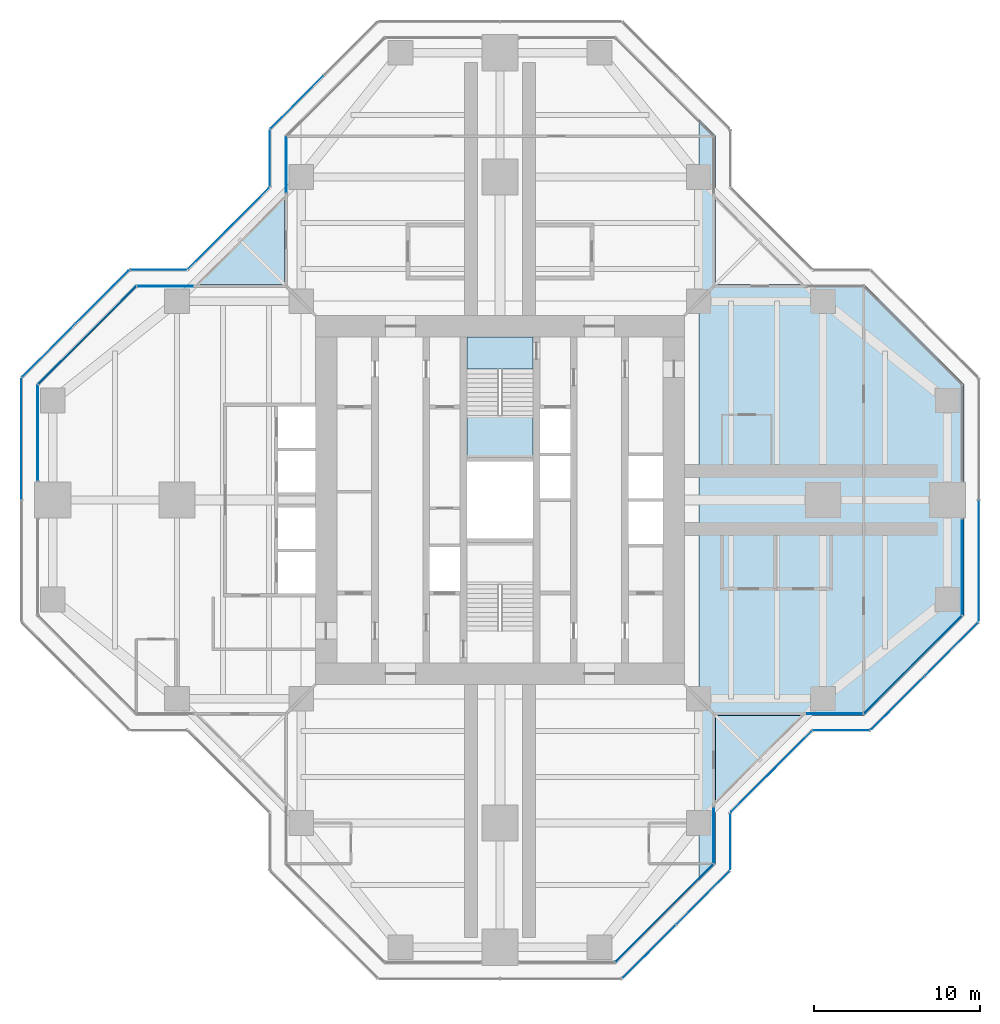
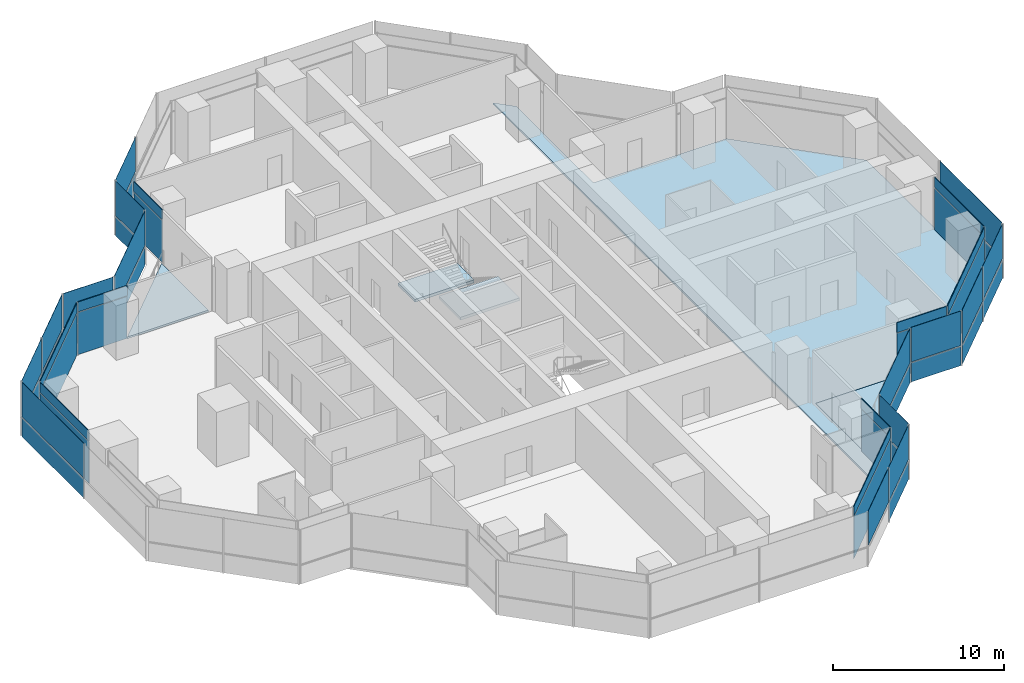
# One storey, part 11 of 17: 47 plates, 5 slabs, 22 elements without a shape of their own.
"""IFC4 building model written with IfcOpenShell, lengths in metres."""

from ifc_helpers import new_model, si_unit, direction, frame, origin, origin_2d, place, context, subcontext, project, spatial, polyline, rectangle, outline, extrude, material, layer, layer_set, type_object, element, aggregate, save


model = new_model("IFC4")

# Units and contexts
model_context = context("Model", 3, precision=1e-05, world=origin(), true_north=direction((0.0, 1.0)))
body_context = subcontext(model_context, "Body", "Model", "MODEL_VIEW")
ifc_project = project(units=[si_unit("LENGTHUNIT", "METRE"), si_unit("AREAUNIT", "SQUARE_METRE"), si_unit("VOLUMEUNIT", "CUBIC_METRE"), si_unit("PLANEANGLEUNIT", "RADIAN"), si_unit("MASSUNIT", "GRAM", prefix="KILO")], contexts=[model_context])

# Site, building, storey
site_placement = place(None, origin())
site = spatial("IfcSite", under=ifc_project, at=site_placement, CompositionType="ELEMENT")
building_placement = place(site_placement, origin())
building = spatial("IfcBuilding", under=site, at=building_placement, Name="Mizan Broadcast Tower", CompositionType="ELEMENT")
storey_placement = place(building_placement, frame((0.0, 0.0, 228.300048828125)))
storey = spatial("IfcBuildingStorey", under=building, at=storey_placement, Name="L53", CompositionType="ELEMENT", Elevation=228.300048828125)

# Slab
ifc_material_1 = material(Name="Concrete C32/40", Category="concrete")
ifc_layer_1 = layer(ifc_material_1, 0.1298828125)
ifc_layer_set_1 = layer_set([ifc_layer_1], Name="Concrete C32/40")
slab_type_1 = type_object("IfcSlabType", Name="COMPOSITE DECK SLAB 130", PredefinedType="FLOOR", material=ifc_layer_set_1)
slab_1_placement = place(storey_placement, frame((0.0, 0.0, -0.130126953125)))
element("IfcSlab", 1, at=slab_1_placement, inside=storey, type_object=slab_type_1, Name="Floor slab L53 east arm", PredefinedType="FLOOR", context=body_context, shape_type="SweptSolid", body=[
    extrude(outline(polyline([(13.0, 22.0), (12.0, 23.0), (12.0, -23.0), (13.0, -22.0), (13.0, -13.0), (22.0, -13.0), (28.0, -7.0), (28.0, 7.0), (22.0, 13.0), (13.0, 13.0), (13.0, 22.0)])), origin(), (0.0, 0.0, 1.0), 0.130126953125),
])

# Curtain wall, plate
ifc_material_2 = material(Name="Aluminium framed glazing", Category="aluminium")
curtain_wall_type_1 = type_object("IfcCurtainWallType", Name="INNER SKIN HIGH ZONE", PredefinedType="USERDEFINED", material=ifc_material_2)
curtain_wall_1_placement = place(storey_placement, origin())
curtain_wall_1 = element("IfcCurtainWall", 2, at=curtain_wall_1_placement, inside=storey, type_object=curtain_wall_type_1, Name="Inner skin high zone L53 E side", ObjectType="INNER SKIN HIGH ZONE", PredefinedType="USERDEFINED")
ifc_material_3 = material(Name="Double glazing, clear low-e", Category="glass")
ifc_layer_2 = layer(ifc_material_3, 0.028076171875)
ifc_layer_set_2 = layer_set([ifc_layer_2], Name="Double glazing, clear low-e")
plate_type_1 = type_object("IfcPlateType", Name="INNER SKIN GLAZING UNIT", PredefinedType="CURTAIN_PANEL", material=ifc_layer_set_2)
plate_1_placement = place(storey_placement, frame((20.229248046875, -12.89990234375, 0.0), z_axis=(0.0, 0.0, 1.0), x_axis=(1.0, 0.0, 0.0)))
plate_1 = element("IfcPlate", 3, at=plate_1_placement, type_object=plate_type_1, Name="Inner skin high zone L53 E side panel 1.1", PredefinedType="CURTAIN_PANEL", context=body_context, shape_type="SweptSolid", body=[
    extrude(rectangle(XDim=3.338623046875, YDim=0.028076171875, at=origin_2d()), origin(), (0.0, 0.0, 1.0), 3.0),
])

curtain_wall_2_placement = place(storey_placement, origin())
curtain_wall_2 = element("IfcCurtainWall", 4, at=curtain_wall_2_placement, inside=storey, type_object=curtain_wall_type_1, Name="Inner skin high zone L53 E chamfer", ObjectType="INNER SKIN HIGH ZONE", PredefinedType="USERDEFINED")
plate_2_placement = place(storey_placement, frame((24.92919921875, -9.92919921875, 0.0), z_axis=(0.0, 0.0, 1.0), x_axis=(0.707106781187, 0.707106781187, 0.0)))
plate_2 = element("IfcPlate", 5, at=plate_2_placement, type_object=plate_type_1, Name="Inner skin high zone L53 E chamfer panel 1.1", PredefinedType="CURTAIN_PANEL", context=body_context, shape_type="SweptSolid", body=[
    extrude(rectangle(XDim=8.282470703125, YDim=0.028076171875, at=origin_2d()), origin(), (0.0, 0.0, 1.0), 3.0),
])

curtain_wall_3_placement = place(storey_placement, origin())
curtain_wall_3 = element("IfcCurtainWall", 6, at=curtain_wall_3_placement, inside=storey, type_object=curtain_wall_type_1, Name="Inner skin high zone L53 E end", ObjectType="INNER SKIN HIGH ZONE", PredefinedType="USERDEFINED")
plate_3_placement = place(storey_placement, frame((27.89990234375, -4.029296875, 0.0), z_axis=(0.0, 0.0, 1.0), x_axis=(0.0, 1.0, 0.0)))
plate_3 = element("IfcPlate", 7, at=plate_3_placement, type_object=plate_type_1, Name="Inner skin high zone L53 E end panel 1.1", PredefinedType="CURTAIN_PANEL", context=body_context, shape_type="SweptSolid", body=[
    extrude(rectangle(XDim=5.738525390625, YDim=0.028076171875, at=origin_2d()), origin(), (0.0, 0.0, 1.0), 3.0),
])

curtain_wall_4_placement = place(storey_placement, origin())
curtain_wall_4 = element("IfcCurtainWall", 8, at=curtain_wall_4_placement, inside=storey, type_object=curtain_wall_type_1, Name="Inner skin high zone L53 N side", ObjectType="INNER SKIN HIGH ZONE", PredefinedType="USERDEFINED")
plate_4_placement = place(storey_placement, frame((-12.89990234375, 20.229248046875, 0.0), z_axis=(0.0, 0.0, 1.0), x_axis=(0.0, -1.0, 0.0)))
plate_4 = element("IfcPlate", 9, at=plate_4_placement, type_object=plate_type_1, Name="Inner skin high zone L53 N side panel 1.1", PredefinedType="CURTAIN_PANEL", context=body_context, shape_type="SweptSolid", body=[
    extrude(rectangle(XDim=3.338623046875, YDim=0.028076171875, at=origin_2d()), origin(), (0.0, 0.0, 1.0), 3.0),
])

curtain_wall_5_placement = place(storey_placement, origin())
curtain_wall_5 = element("IfcCurtainWall", 10, at=curtain_wall_5_placement, inside=storey, type_object=curtain_wall_type_1, Name="Inner skin high zone L53 W side", ObjectType="INNER SKIN HIGH ZONE", PredefinedType="USERDEFINED")
plate_5_placement = place(storey_placement, frame((-20.229248046875, 12.89990234375, 0.0), z_axis=(0.0, 0.0, 1.0), x_axis=(-1.0, 0.0, 0.0)))
plate_5 = element("IfcPlate", 11, at=plate_5_placement, type_object=plate_type_1, Name="Inner skin high zone L53 W side panel 1.1", PredefinedType="CURTAIN_PANEL", context=body_context, shape_type="SweptSolid", body=[
    extrude(rectangle(XDim=3.338623046875, YDim=0.028076171875, at=origin_2d()), origin(), (0.0, 0.0, 1.0), 3.0),
])

curtain_wall_6_placement = place(storey_placement, origin())
curtain_wall_6 = element("IfcCurtainWall", 12, at=curtain_wall_6_placement, inside=storey, type_object=curtain_wall_type_1, Name="Inner skin high zone L53 W chamfer", ObjectType="INNER SKIN HIGH ZONE", PredefinedType="USERDEFINED")
plate_6_placement = place(storey_placement, frame((-24.92919921875, 9.92919921875, 0.0), z_axis=(0.0, 0.0, 1.0), x_axis=(-0.707106781187, -0.707106781187, 0.0)))
plate_6 = element("IfcPlate", 13, at=plate_6_placement, type_object=plate_type_1, Name="Inner skin high zone L53 W chamfer panel 1.1", PredefinedType="CURTAIN_PANEL", context=body_context, shape_type="SweptSolid", body=[
    extrude(rectangle(XDim=8.282470703125, YDim=0.028076171875, at=origin_2d()), origin(), (0.0, 0.0, 1.0), 3.0),
])

curtain_wall_7_placement = place(storey_placement, origin())
curtain_wall_7 = element("IfcCurtainWall", 14, at=curtain_wall_7_placement, inside=storey, type_object=curtain_wall_type_1, Name="Inner skin high zone L53 W end", ObjectType="INNER SKIN HIGH ZONE", PredefinedType="USERDEFINED")
plate_7_placement = place(storey_placement, frame((-27.89990234375, 4.029296875, 0.0), z_axis=(0.0, 0.0, 1.0), x_axis=(0.0, -1.0, 0.0)))
plate_7 = element("IfcPlate", 15, at=plate_7_placement, type_object=plate_type_1, Name="Inner skin high zone L53 W end panel 1.1", PredefinedType="CURTAIN_PANEL", context=body_context, shape_type="SweptSolid", body=[
    extrude(rectangle(XDim=5.738525390625, YDim=0.028076171875, at=origin_2d()), origin(), (0.0, 0.0, 1.0), 3.0),
])

curtain_wall_8_placement = place(storey_placement, origin())
curtain_wall_8 = element("IfcCurtainWall", 16, at=curtain_wall_8_placement, inside=storey, type_object=curtain_wall_type_1, Name="Inner skin high zone L53 S chamfer", ObjectType="INNER SKIN HIGH ZONE", PredefinedType="USERDEFINED")
plate_8_placement = place(storey_placement, frame((9.92919921875, -24.92919921875, 0.0), z_axis=(0.0, 0.0, 1.0), x_axis=(0.707106781187, 0.707106781187, 0.0)))
plate_8 = element("IfcPlate", 17, at=plate_8_placement, type_object=plate_type_1, Name="Inner skin high zone L53 S chamfer panel 1.1", PredefinedType="CURTAIN_PANEL", context=body_context, shape_type="SweptSolid", body=[
    extrude(rectangle(XDim=8.282470703125, YDim=0.028076171875, at=origin_2d()), origin(), (0.0, 0.0, 1.0), 3.0),
])

curtain_wall_9_placement = place(storey_placement, origin())
curtain_wall_9 = element("IfcCurtainWall", 18, at=curtain_wall_9_placement, inside=storey, type_object=curtain_wall_type_1, Name="Inner skin high zone L53 S side", ObjectType="INNER SKIN HIGH ZONE", PredefinedType="USERDEFINED")
plate_9_placement = place(storey_placement, frame((12.89990234375, -20.229248046875, 0.0), z_axis=(0.0, 0.0, 1.0), x_axis=(0.0, 1.0, 0.0)))
plate_9 = element("IfcPlate", 19, at=plate_9_placement, type_object=plate_type_1, Name="Inner skin high zone L53 S side panel 1.1", PredefinedType="CURTAIN_PANEL", context=body_context, shape_type="SweptSolid", body=[
    extrude(rectangle(XDim=3.338623046875, YDim=0.028076171875, at=origin_2d()), origin(), (0.0, 0.0, 1.0), 3.0),
])

# Plate
ifc_material_4 = material(Name="Insulated aluminium spandrel panel, pale anodised", Category="aluminium")
ifc_layer_3 = layer(ifc_material_4, 0.050048828125)
ifc_layer_set_3 = layer_set([ifc_layer_3], Name="Insulated aluminium spandrel panel, pale anodised")
plate_type_2 = type_object("IfcPlateType", Name="INNER SKIN SPANDREL PANEL", PredefinedType="CURTAIN_PANEL", material=ifc_layer_set_3)
plate_10_placement = place(storey_placement, frame((20.229248046875, -12.89990234375, 3.06005859375), z_axis=(0.0, 0.0, 1.0), x_axis=(1.0, 0.0, 0.0)))
plate_10 = element("IfcPlate", 20, at=plate_10_placement, type_object=plate_type_2, Name="Inner skin high zone L53 E side panel 1.2", PredefinedType="CURTAIN_PANEL", context=body_context, shape_type="SweptSolid", body=[
    extrude(rectangle(XDim=3.338623046875, YDim=0.050048828125, at=origin_2d()), origin(), (0.0, 0.0, 1.0), 0.7099609375),
])

aggregate(curtain_wall_1, [plate_1, plate_10])

plate_11_placement = place(storey_placement, frame((24.92919921875, -9.92919921875, 3.06005859375), z_axis=(0.0, 0.0, 1.0), x_axis=(0.707106781187, 0.707106781187, 0.0)))
plate_11 = element("IfcPlate", 21, at=plate_11_placement, type_object=plate_type_2, Name="Inner skin high zone L53 E chamfer panel 1.2", PredefinedType="CURTAIN_PANEL", context=body_context, shape_type="SweptSolid", body=[
    extrude(rectangle(XDim=8.282470703125, YDim=0.050048828125, at=origin_2d()), origin(), (0.0, 0.0, 1.0), 0.7099609375),
])

aggregate(curtain_wall_2, [plate_2, plate_11])

plate_12_placement = place(storey_placement, frame((27.89990234375, -4.029296875, 3.06005859375), z_axis=(0.0, 0.0, 1.0), x_axis=(0.0, 1.0, 0.0)))
plate_12 = element("IfcPlate", 22, at=plate_12_placement, type_object=plate_type_2, Name="Inner skin high zone L53 E end panel 1.2", PredefinedType="CURTAIN_PANEL", context=body_context, shape_type="SweptSolid", body=[
    extrude(rectangle(XDim=5.738525390625, YDim=0.050048828125, at=origin_2d()), origin(), (0.0, 0.0, 1.0), 0.7099609375),
])

aggregate(curtain_wall_3, [plate_3, plate_12])

plate_13_placement = place(storey_placement, frame((-12.89990234375, 20.229248046875, 3.06005859375), z_axis=(0.0, 0.0, 1.0), x_axis=(0.0, -1.0, 0.0)))
plate_13 = element("IfcPlate", 23, at=plate_13_placement, type_object=plate_type_2, Name="Inner skin high zone L53 N side panel 1.2", PredefinedType="CURTAIN_PANEL", context=body_context, shape_type="SweptSolid", body=[
    extrude(rectangle(XDim=3.338623046875, YDim=0.050048828125, at=origin_2d()), origin(), (0.0, 0.0, 1.0), 0.7099609375),
])

aggregate(curtain_wall_4, [plate_4, plate_13])

plate_14_placement = place(storey_placement, frame((-20.229248046875, 12.89990234375, 3.06005859375), z_axis=(0.0, 0.0, 1.0), x_axis=(-1.0, 0.0, 0.0)))
plate_14 = element("IfcPlate", 24, at=plate_14_placement, type_object=plate_type_2, Name="Inner skin high zone L53 W side panel 1.2", PredefinedType="CURTAIN_PANEL", context=body_context, shape_type="SweptSolid", body=[
    extrude(rectangle(XDim=3.338623046875, YDim=0.050048828125, at=origin_2d()), origin(), (0.0, 0.0, 1.0), 0.7099609375),
])

aggregate(curtain_wall_5, [plate_5, plate_14])

plate_15_placement = place(storey_placement, frame((-24.92919921875, 9.92919921875, 3.06005859375), z_axis=(0.0, 0.0, 1.0), x_axis=(-0.707106781187, -0.707106781187, 0.0)))
plate_15 = element("IfcPlate", 25, at=plate_15_placement, type_object=plate_type_2, Name="Inner skin high zone L53 W chamfer panel 1.2", PredefinedType="CURTAIN_PANEL", context=body_context, shape_type="SweptSolid", body=[
    extrude(rectangle(XDim=8.282470703125, YDim=0.050048828125, at=origin_2d()), origin(), (0.0, 0.0, 1.0), 0.7099609375),
])

aggregate(curtain_wall_6, [plate_6, plate_15])

plate_16_placement = place(storey_placement, frame((-27.89990234375, 4.029296875, 3.06005859375), z_axis=(0.0, 0.0, 1.0), x_axis=(0.0, -1.0, 0.0)))
plate_16 = element("IfcPlate", 26, at=plate_16_placement, type_object=plate_type_2, Name="Inner skin high zone L53 W end panel 1.2", PredefinedType="CURTAIN_PANEL", context=body_context, shape_type="SweptSolid", body=[
    extrude(rectangle(XDim=5.738525390625, YDim=0.050048828125, at=origin_2d()), origin(), (0.0, 0.0, 1.0), 0.7099609375),
])

aggregate(curtain_wall_7, [plate_7, plate_16])

plate_17_placement = place(storey_placement, frame((9.92919921875, -24.92919921875, 3.06005859375), z_axis=(0.0, 0.0, 1.0), x_axis=(0.707106781187, 0.707106781187, 0.0)))
plate_17 = element("IfcPlate", 27, at=plate_17_placement, type_object=plate_type_2, Name="Inner skin high zone L53 S chamfer panel 1.2", PredefinedType="CURTAIN_PANEL", context=body_context, shape_type="SweptSolid", body=[
    extrude(rectangle(XDim=8.282470703125, YDim=0.050048828125, at=origin_2d()), origin(), (0.0, 0.0, 1.0), 0.7099609375),
])

aggregate(curtain_wall_8, [plate_8, plate_17])

plate_18_placement = place(storey_placement, frame((12.89990234375, -20.229248046875, 3.06005859375), z_axis=(0.0, 0.0, 1.0), x_axis=(0.0, 1.0, 0.0)))
plate_18 = element("IfcPlate", 28, at=plate_18_placement, type_object=plate_type_2, Name="Inner skin high zone L53 S side panel 1.2", PredefinedType="CURTAIN_PANEL", context=body_context, shape_type="SweptSolid", body=[
    extrude(rectangle(XDim=3.338623046875, YDim=0.050048828125, at=origin_2d()), origin(), (0.0, 0.0, 1.0), 0.7099609375),
])

aggregate(curtain_wall_9, [plate_9, plate_18])

# Curtain wall, plates
ifc_material_5 = material(Name="Aluminium framed glazing", Category="aluminium")
curtain_wall_type_2 = type_object("IfcCurtainWallType", Name="OUTER SKIN", PredefinedType="USERDEFINED", material=ifc_material_5)
curtain_wall_10_placement = place(storey_placement, origin())
curtain_wall_10 = element("IfcCurtainWall", 29, at=curtain_wall_10_placement, inside=storey, type_object=curtain_wall_type_2, Name="Outer skin L53 E chamfer", ObjectType="OUTER SKIN", PredefinedType="USERDEFINED")
ifc_material_6 = material(Name="Laminated clear glass", Category="glass")
ifc_layer_4 = layer(ifc_material_6, 0.02001953125)
ifc_layer_set_4 = layer_set([ifc_layer_4], Name="Laminated clear glass")
plate_type_3 = type_object("IfcPlateType", Name="OUTER SKIN CLEAR GLASS", PredefinedType="CURTAIN_PANEL", material=ifc_layer_set_4)
plate_19_placement = place(storey_placement, frame((24.018798828125, -12.254150390625, 0.0), z_axis=(0.0, 0.0, 1.0), x_axis=(0.707106781187, 0.707106781187, 0.0)))
plate_19 = element("IfcPlate", 30, at=plate_19_placement, type_object=plate_type_3, Name="Outer skin L53 E chamfer panel 1.1", PredefinedType="CURTAIN_PANEL", context=body_context, shape_type="SweptSolid", body=[
    extrude(rectangle(XDim=4.495361328125, YDim=0.02001953125, at=origin_2d()), origin(), (0.0, 0.0, 1.0), 1.3701171875),
])
plate_20_placement = place(storey_placement, frame((24.018798828125, -12.254150390625, 1.43017578125), z_axis=(0.0, 0.0, 1.0), x_axis=(0.707106781187, 0.707106781187, 0.0)))
plate_20 = element("IfcPlate", 31, at=plate_20_placement, type_object=plate_type_3, Name="Outer skin L53 E chamfer panel 1.2", PredefinedType="CURTAIN_PANEL", context=body_context, shape_type="SweptSolid", body=[
    extrude(rectangle(XDim=4.495361328125, YDim=0.02001953125, at=origin_2d()), origin(), (0.0, 0.0, 1.0), 2.469970703125),
])

curtain_wall_11_placement = place(storey_placement, origin())
curtain_wall_11 = element("IfcCurtainWall", 32, at=curtain_wall_11_placement, inside=storey, type_object=curtain_wall_type_2, Name="Outer skin L53 E end", ObjectType="OUTER SKIN", PredefinedType="USERDEFINED")
plate_21_placement = place(storey_placement, frame((28.89990234375, -3.66650390625, 0.0), z_axis=(0.0, 0.0, 1.0), x_axis=(0.0, 1.0, 0.0)))
plate_21 = element("IfcPlate", 33, at=plate_21_placement, type_object=plate_type_3, Name="Outer skin L53 E end panel 1.1", PredefinedType="CURTAIN_PANEL", context=body_context, shape_type="SweptSolid", body=[
    extrude(rectangle(XDim=7.252685546875, YDim=0.02001953125, at=origin_2d()), origin(), (0.0, 0.0, 1.0), 1.3701171875),
])
plate_22_placement = place(storey_placement, frame((28.89990234375, -3.66650390625, 1.43017578125), z_axis=(0.0, 0.0, 1.0), x_axis=(0.0, 1.0, 0.0)))
plate_22 = element("IfcPlate", 34, at=plate_22_placement, type_object=plate_type_3, Name="Outer skin L53 E end panel 1.2", PredefinedType="CURTAIN_PANEL", context=body_context, shape_type="SweptSolid", body=[
    extrude(rectangle(XDim=7.252685546875, YDim=0.02001953125, at=origin_2d()), origin(), (0.0, 0.0, 1.0), 2.469970703125),
])
aggregate(curtain_wall_11, [plate_21, plate_22])

curtain_wall_12_placement = place(storey_placement, origin())
curtain_wall_12 = element("IfcCurtainWall", 35, at=curtain_wall_12_placement, inside=storey, type_object=curtain_wall_type_2, Name="Outer skin L53 N side", ObjectType="OUTER SKIN", PredefinedType="USERDEFINED")
plate_23_placement = place(storey_placement, frame((-13.89990234375, 20.622802734375, 0.0), z_axis=(0.0, 0.0, 1.0), x_axis=(0.0, -1.0, 0.0)))
plate_23 = element("IfcPlate", 36, at=plate_23_placement, type_object=plate_type_3, Name="Outer skin L53 N side panel 1.1", PredefinedType="CURTAIN_PANEL", context=body_context, shape_type="SweptSolid", body=[
    extrude(rectangle(XDim=3.340087890625, YDim=0.02001953125, at=origin_2d()), origin(), (0.0, 0.0, 1.0), 1.3701171875),
])
plate_24_placement = place(storey_placement, frame((-13.89990234375, 20.622802734375, 1.43017578125), z_axis=(0.0, 0.0, 1.0), x_axis=(0.0, -1.0, 0.0)))
plate_24 = element("IfcPlate", 37, at=plate_24_placement, type_object=plate_type_3, Name="Outer skin L53 N side panel 1.2", PredefinedType="CURTAIN_PANEL", context=body_context, shape_type="SweptSolid", body=[
    extrude(rectangle(XDim=3.340087890625, YDim=0.02001953125, at=origin_2d()), origin(), (0.0, 0.0, 1.0), 2.469970703125),
])
aggregate(curtain_wall_12, [plate_23, plate_24])

curtain_wall_13_placement = place(storey_placement, origin())
curtain_wall_13 = element("IfcCurtainWall", 38, at=curtain_wall_13_placement, inside=storey, type_object=curtain_wall_type_2, Name="Outer skin L53 W chamfer", ObjectType="OUTER SKIN", PredefinedType="USERDEFINED")
plate_25_placement = place(storey_placement, frame((-16.386474609375, 16.386474609375, 0.0), z_axis=(0.0, 0.0, 1.0), x_axis=(-0.707106781187, -0.707106781187, 0.0)))
plate_25 = element("IfcPlate", 39, at=plate_25_placement, type_object=plate_type_3, Name="Outer skin L53 W chamfer panel 1.1", PredefinedType="CURTAIN_PANEL", context=body_context, shape_type="SweptSolid", body=[
    extrude(rectangle(XDim=6.87255859375, YDim=0.02001953125, at=origin_2d()), origin(), (0.0, 0.0, 1.0), 1.3701171875),
])
plate_26_placement = place(storey_placement, frame((-16.386474609375, 16.386474609375, 1.43017578125), z_axis=(0.0, 0.0, 1.0), x_axis=(-0.707106781187, -0.707106781187, 0.0)))
plate_26 = element("IfcPlate", 40, at=plate_26_placement, type_object=plate_type_3, Name="Outer skin L53 W chamfer panel 1.2", PredefinedType="CURTAIN_PANEL", context=body_context, shape_type="SweptSolid", body=[
    extrude(rectangle(XDim=6.87255859375, YDim=0.02001953125, at=origin_2d()), origin(), (0.0, 0.0, 1.0), 2.469970703125),
])
aggregate(curtain_wall_13, [plate_25, plate_26])

curtain_wall_14_placement = place(storey_placement, origin())
curtain_wall_14 = element("IfcCurtainWall", 41, at=curtain_wall_14_placement, inside=storey, type_object=curtain_wall_type_2, Name="Outer skin L53 W side", ObjectType="OUTER SKIN", PredefinedType="USERDEFINED")
plate_27_placement = place(storey_placement, frame((-20.622802734375, 13.89990234375, 0.0), z_axis=(0.0, 0.0, 1.0), x_axis=(-1.0, 0.0, 0.0)))
plate_27 = element("IfcPlate", 42, at=plate_27_placement, type_object=plate_type_3, Name="Outer skin L53 W side panel 1.1", PredefinedType="CURTAIN_PANEL", context=body_context, shape_type="SweptSolid", body=[
    extrude(rectangle(XDim=3.340087890625, YDim=0.02001953125, at=origin_2d()), origin(), (0.0, 0.0, 1.0), 1.3701171875),
])
plate_28_placement = place(storey_placement, frame((-20.622802734375, 13.89990234375, 1.43017578125), z_axis=(0.0, 0.0, 1.0), x_axis=(-1.0, 0.0, 0.0)))
plate_28 = element("IfcPlate", 43, at=plate_28_placement, type_object=plate_type_3, Name="Outer skin L53 W side panel 1.2", PredefinedType="CURTAIN_PANEL", context=body_context, shape_type="SweptSolid", body=[
    extrude(rectangle(XDim=3.340087890625, YDim=0.02001953125, at=origin_2d()), origin(), (0.0, 0.0, 1.0), 2.469970703125),
])
aggregate(curtain_wall_14, [plate_27, plate_28])

curtain_wall_15_placement = place(storey_placement, origin())
curtain_wall_15 = element("IfcCurtainWall", 44, at=curtain_wall_15_placement, inside=storey, type_object=curtain_wall_type_2, Name="Outer skin L53 W chamfer", ObjectType="OUTER SKIN", PredefinedType="USERDEFINED")
plate_29_placement = place(storey_placement, frame((-24.018798828125, 12.254150390625, 0.0), z_axis=(0.0, 0.0, 1.0), x_axis=(-0.707106781187, -0.707106781187, 0.0)))
plate_29 = element("IfcPlate", 45, at=plate_29_placement, type_object=plate_type_3, Name="Outer skin L53 W chamfer panel 1.1", PredefinedType="CURTAIN_PANEL", context=body_context, shape_type="SweptSolid", body=[
    extrude(rectangle(XDim=4.495361328125, YDim=0.02001953125, at=origin_2d()), origin(), (0.0, 0.0, 1.0), 1.3701171875),
])
plate_30_placement = place(storey_placement, frame((-24.018798828125, 12.254150390625, 1.43017578125), z_axis=(0.0, 0.0, 1.0), x_axis=(-0.707106781187, -0.707106781187, 0.0)))
plate_30 = element("IfcPlate", 46, at=plate_30_placement, type_object=plate_type_3, Name="Outer skin L53 W chamfer panel 1.2", PredefinedType="CURTAIN_PANEL", context=body_context, shape_type="SweptSolid", body=[
    extrude(rectangle(XDim=4.495361328125, YDim=0.02001953125, at=origin_2d()), origin(), (0.0, 0.0, 1.0), 2.469970703125),
])

curtain_wall_16_placement = place(storey_placement, origin())
curtain_wall_16 = element("IfcCurtainWall", 47, at=curtain_wall_16_placement, inside=storey, type_object=curtain_wall_type_2, Name="Outer skin L53 W end", ObjectType="OUTER SKIN", PredefinedType="USERDEFINED")
plate_31_placement = place(storey_placement, frame((-28.89990234375, 3.66650390625, 0.0), z_axis=(0.0, 0.0, 1.0), x_axis=(0.0, -1.0, 0.0)))
plate_31 = element("IfcPlate", 48, at=plate_31_placement, type_object=plate_type_3, Name="Outer skin L53 W end panel 1.1", PredefinedType="CURTAIN_PANEL", context=body_context, shape_type="SweptSolid", body=[
    extrude(rectangle(XDim=7.252685546875, YDim=0.02001953125, at=origin_2d()), origin(), (0.0, 0.0, 1.0), 1.3701171875),
])
plate_32_placement = place(storey_placement, frame((-28.89990234375, 3.66650390625, 1.43017578125), z_axis=(0.0, 0.0, 1.0), x_axis=(0.0, -1.0, 0.0)))
plate_32 = element("IfcPlate", 49, at=plate_32_placement, type_object=plate_type_3, Name="Outer skin L53 W end panel 1.2", PredefinedType="CURTAIN_PANEL", context=body_context, shape_type="SweptSolid", body=[
    extrude(rectangle(XDim=7.252685546875, YDim=0.02001953125, at=origin_2d()), origin(), (0.0, 0.0, 1.0), 2.469970703125),
])
aggregate(curtain_wall_16, [plate_31, plate_32])

# Curtain wall, plate
curtain_wall_17_placement = place(storey_placement, origin())
curtain_wall_17 = element("IfcCurtainWall", 50, at=curtain_wall_17_placement, inside=storey, type_object=curtain_wall_type_2, Name="Outer skin L53 S chamfer", ObjectType="OUTER SKIN", PredefinedType="USERDEFINED")
plate_33_placement = place(storey_placement, frame((9.018798828125, -27.254150390625, 1.43017578125), z_axis=(0.0, 0.0, 1.0), x_axis=(0.707106781187, 0.707106781187, 0.0)))
plate_33 = element("IfcPlate", 51, at=plate_33_placement, type_object=plate_type_3, Name="Outer skin L53 S chamfer panel 1.2", PredefinedType="CURTAIN_PANEL", context=body_context, shape_type="SweptSolid", body=[
    extrude(rectangle(XDim=4.495361328125, YDim=0.02001953125, at=origin_2d()), origin(), (0.0, 0.0, 1.0), 2.469970703125),
])

# Curtain wall, plates
curtain_wall_18_placement = place(storey_placement, origin())
curtain_wall_18 = element("IfcCurtainWall", 52, at=curtain_wall_18_placement, inside=storey, type_object=curtain_wall_type_2, Name="Outer skin L53 S side", ObjectType="OUTER SKIN", PredefinedType="USERDEFINED")
plate_34_placement = place(storey_placement, frame((13.89990234375, -20.622802734375, 0.0), z_axis=(0.0, 0.0, 1.0), x_axis=(0.0, 1.0, 0.0)))
plate_34 = element("IfcPlate", 53, at=plate_34_placement, type_object=plate_type_3, Name="Outer skin L53 S side panel 1.1", PredefinedType="CURTAIN_PANEL", context=body_context, shape_type="SweptSolid", body=[
    extrude(rectangle(XDim=3.340087890625, YDim=0.02001953125, at=origin_2d()), origin(), (0.0, 0.0, 1.0), 1.3701171875),
])
plate_35_placement = place(storey_placement, frame((13.89990234375, -20.622802734375, 1.43017578125), z_axis=(0.0, 0.0, 1.0), x_axis=(0.0, 1.0, 0.0)))
plate_35 = element("IfcPlate", 54, at=plate_35_placement, type_object=plate_type_3, Name="Outer skin L53 S side panel 1.2", PredefinedType="CURTAIN_PANEL", context=body_context, shape_type="SweptSolid", body=[
    extrude(rectangle(XDim=3.340087890625, YDim=0.02001953125, at=origin_2d()), origin(), (0.0, 0.0, 1.0), 2.469970703125),
])
aggregate(curtain_wall_18, [plate_34, plate_35])

curtain_wall_19_placement = place(storey_placement, origin())
curtain_wall_19 = element("IfcCurtainWall", 55, at=curtain_wall_19_placement, inside=storey, type_object=curtain_wall_type_2, Name="Outer skin L53 E chamfer", ObjectType="OUTER SKIN", PredefinedType="USERDEFINED")
plate_36_placement = place(storey_placement, frame((16.386474609375, -16.386474609375, 0.0), z_axis=(0.0, 0.0, 1.0), x_axis=(0.707106781187, 0.707106781187, 0.0)))
plate_36 = element("IfcPlate", 56, at=plate_36_placement, type_object=plate_type_3, Name="Outer skin L53 E chamfer panel 1.1", PredefinedType="CURTAIN_PANEL", context=body_context, shape_type="SweptSolid", body=[
    extrude(rectangle(XDim=6.87255859375, YDim=0.02001953125, at=origin_2d()), origin(), (0.0, 0.0, 1.0), 1.3701171875),
])
plate_37_placement = place(storey_placement, frame((16.386474609375, -16.386474609375, 1.43017578125), z_axis=(0.0, 0.0, 1.0), x_axis=(0.707106781187, 0.707106781187, 0.0)))
plate_37 = element("IfcPlate", 57, at=plate_37_placement, type_object=plate_type_3, Name="Outer skin L53 E chamfer panel 1.2", PredefinedType="CURTAIN_PANEL", context=body_context, shape_type="SweptSolid", body=[
    extrude(rectangle(XDim=6.87255859375, YDim=0.02001953125, at=origin_2d()), origin(), (0.0, 0.0, 1.0), 2.469970703125),
])
aggregate(curtain_wall_19, [plate_36, plate_37])

curtain_wall_20_placement = place(storey_placement, origin())
curtain_wall_20 = element("IfcCurtainWall", 58, at=curtain_wall_20_placement, inside=storey, type_object=curtain_wall_type_2, Name="Outer skin L53 E side", ObjectType="OUTER SKIN", PredefinedType="USERDEFINED")
plate_38_placement = place(storey_placement, frame((20.622802734375, -13.89990234375, 0.0), z_axis=(0.0, 0.0, 1.0), x_axis=(1.0, 0.0, 0.0)))
plate_38 = element("IfcPlate", 59, at=plate_38_placement, type_object=plate_type_3, Name="Outer skin L53 E side panel 1.1", PredefinedType="CURTAIN_PANEL", context=body_context, shape_type="SweptSolid", body=[
    extrude(rectangle(XDim=3.340087890625, YDim=0.02001953125, at=origin_2d()), origin(), (0.0, 0.0, 1.0), 1.3701171875),
])
plate_39_placement = place(storey_placement, frame((20.622802734375, -13.89990234375, 1.43017578125), z_axis=(0.0, 0.0, 1.0), x_axis=(1.0, 0.0, 0.0)))
plate_39 = element("IfcPlate", 60, at=plate_39_placement, type_object=plate_type_3, Name="Outer skin L53 E side panel 1.2", PredefinedType="CURTAIN_PANEL", context=body_context, shape_type="SweptSolid", body=[
    extrude(rectangle(XDim=3.340087890625, YDim=0.02001953125, at=origin_2d()), origin(), (0.0, 0.0, 1.0), 2.469970703125),
])
aggregate(curtain_wall_20, [plate_38, plate_39])

# Plate
ifc_material_7 = material(Name="Perforated aluminium, pale anodised", Category="aluminium")
ifc_layer_5 = layer(ifc_material_7, 0.011962890625)
ifc_layer_set_5 = layer_set([ifc_layer_5], Name="Perforated aluminium, pale anodised")
plate_type_4 = type_object("IfcPlateType", Name="OUTER SKIN PERFORATED SCREEN", PredefinedType="USERDEFINED", material=ifc_layer_set_5)
plate_40_placement = place(storey_placement, frame((27.254150390625, -9.018798828125, 0.0), z_axis=(0.0, 0.0, 1.0), x_axis=(0.707106781187, 0.707106781187, 0.0)))
plate_40 = element("IfcPlate", 61, at=plate_40_placement, type_object=plate_type_4, Name="Outer skin L53 E chamfer panel 2.1", ObjectType="SCREEN", PredefinedType="USERDEFINED", context=body_context, shape_type="SweptSolid", body=[
    extrude(rectangle(XDim=4.495361328125, YDim=0.011962890625, at=origin_2d()), origin(), (0.0, 0.0, 1.0), 1.3701171875),
])

plate_41_placement = place(storey_placement, frame((27.254150390625, -9.018798828125, 1.43017578125), z_axis=(0.0, 0.0, 1.0), x_axis=(0.707106781187, 0.707106781187, 0.0)))
plate_41 = element("IfcPlate", 62, at=plate_41_placement, type_object=plate_type_4, Name="Outer skin L53 E chamfer panel 2.2", ObjectType="SCREEN", PredefinedType="USERDEFINED", context=body_context, shape_type="SweptSolid", body=[
    extrude(rectangle(XDim=4.495361328125, YDim=0.011962890625, at=origin_2d()), origin(), (0.0, 0.0, 1.0), 2.469970703125),
])

aggregate(curtain_wall_10, [plate_19, plate_20, plate_40, plate_41])

# Curtain wall, plates
curtain_wall_21_placement = place(storey_placement, origin())
curtain_wall_21 = element("IfcCurtainWall", 63, at=curtain_wall_21_placement, inside=storey, type_object=curtain_wall_type_2, Name="Outer skin L53 N chamfer", ObjectType="OUTER SKIN", PredefinedType="USERDEFINED")
plate_42_placement = place(storey_placement, frame((-12.254150390625, 24.018798828125, 0.0), z_axis=(0.0, 0.0, 1.0), x_axis=(-0.707106781187, -0.707106781187, 0.0)))
plate_42 = element("IfcPlate", 64, at=plate_42_placement, type_object=plate_type_4, Name="Outer skin L53 N chamfer panel 2.1", ObjectType="SCREEN", PredefinedType="USERDEFINED", context=body_context, shape_type="SweptSolid", body=[
    extrude(rectangle(XDim=4.495361328125, YDim=0.011962890625, at=origin_2d()), origin(), (0.0, 0.0, 1.0), 1.3701171875),
])
plate_43_placement = place(storey_placement, frame((-12.254150390625, 24.018798828125, 1.43017578125), z_axis=(0.0, 0.0, 1.0), x_axis=(-0.707106781187, -0.707106781187, 0.0)))
plate_43 = element("IfcPlate", 65, at=plate_43_placement, type_object=plate_type_4, Name="Outer skin L53 N chamfer panel 2.2", ObjectType="SCREEN", PredefinedType="USERDEFINED", context=body_context, shape_type="SweptSolid", body=[
    extrude(rectangle(XDim=4.495361328125, YDim=0.011962890625, at=origin_2d()), origin(), (0.0, 0.0, 1.0), 2.469970703125),
])
aggregate(curtain_wall_21, [plate_42, plate_43])

# Plate
plate_44_placement = place(storey_placement, frame((-27.254150390625, 9.018798828125, 0.0), z_axis=(0.0, 0.0, 1.0), x_axis=(-0.707106781187, -0.707106781187, 0.0)))
plate_44 = element("IfcPlate", 66, at=plate_44_placement, type_object=plate_type_4, Name="Outer skin L53 W chamfer panel 2.1", ObjectType="SCREEN", PredefinedType="USERDEFINED", context=body_context, shape_type="SweptSolid", body=[
    extrude(rectangle(XDim=4.495361328125, YDim=0.011962890625, at=origin_2d()), origin(), (0.0, 0.0, 1.0), 1.3701171875),
])

plate_45_placement = place(storey_placement, frame((-27.254150390625, 9.018798828125, 1.43017578125), z_axis=(0.0, 0.0, 1.0), x_axis=(-0.707106781187, -0.707106781187, 0.0)))
plate_45 = element("IfcPlate", 67, at=plate_45_placement, type_object=plate_type_4, Name="Outer skin L53 W chamfer panel 2.2", ObjectType="SCREEN", PredefinedType="USERDEFINED", context=body_context, shape_type="SweptSolid", body=[
    extrude(rectangle(XDim=4.495361328125, YDim=0.011962890625, at=origin_2d()), origin(), (0.0, 0.0, 1.0), 2.469970703125),
])

aggregate(curtain_wall_15, [plate_29, plate_30, plate_44, plate_45])

plate_46_placement = place(storey_placement, frame((12.254150390625, -24.018798828125, 0.0), z_axis=(0.0, 0.0, 1.0), x_axis=(0.707106781187, 0.707106781187, 0.0)))
plate_46 = element("IfcPlate", 68, at=plate_46_placement, type_object=plate_type_4, Name="Outer skin L53 S chamfer panel 2.1", ObjectType="SCREEN", PredefinedType="USERDEFINED", context=body_context, shape_type="SweptSolid", body=[
    extrude(rectangle(XDim=4.495361328125, YDim=0.011962890625, at=origin_2d()), origin(), (0.0, 0.0, 1.0), 1.3701171875),
])

plate_47_placement = place(storey_placement, frame((12.254150390625, -24.018798828125, 1.43017578125), z_axis=(0.0, 0.0, 1.0), x_axis=(0.707106781187, 0.707106781187, 0.0)))
plate_47 = element("IfcPlate", 69, at=plate_47_placement, type_object=plate_type_4, Name="Outer skin L53 S chamfer panel 2.2", ObjectType="SCREEN", PredefinedType="USERDEFINED", context=body_context, shape_type="SweptSolid", body=[
    extrude(rectangle(XDim=4.495361328125, YDim=0.011962890625, at=origin_2d()), origin(), (0.0, 0.0, 1.0), 2.469970703125),
])

aggregate(curtain_wall_17, [plate_33, plate_46, plate_47])

# Stair, slabs
ifc_material_8 = material(Name="Concrete C40/50", Category="concrete")
stair_type = type_object("IfcStairType", Name="EXIT STAIR", PredefinedType="HALF_TURN_STAIR", material=ifc_material_8)
stair_placement = place(storey_placement, origin())
stair = element("IfcStair", 70, at=stair_placement, inside=storey, type_object=stair_type, Name="Stair B L53", PredefinedType="HALF_TURN_STAIR")
ifc_material_9 = material(Name="Concrete C40/50", Category="concrete")
ifc_layer_6 = layer(ifc_material_9, 0.199951171875)
ifc_layer_set_6 = layer_set([ifc_layer_6], Name="Concrete C40/50")
slab_type_2 = type_object("IfcSlabType", Name="STAIR LANDING 200", PredefinedType="LANDING", material=ifc_layer_set_6)
slab_2_placement = place(storey_placement, frame((0.0, 0.0, -0.199951171875)))
slab_2 = element("IfcSlab", 71, at=slab_2_placement, type_object=slab_type_2, Name="B landing 1", PredefinedType="LANDING", context=body_context, shape_type="SweptSolid", body=[
    extrude(outline(polyline([(2.0, 9.85009765625), (2.0, 7.89990234375), (-2.0, 7.89990234375), (-2.0, 9.85009765625), (2.0, 9.85009765625)])), origin(), (0.0, 0.0, 1.0), 0.199951171875),
])
slab_3_placement = place(storey_placement, frame((0.0, 0.0, 1.75)))
slab_3 = element("IfcSlab", 72, at=slab_3_placement, type_object=slab_type_2, Name="B landing 2", PredefinedType="LANDING", context=body_context, shape_type="SweptSolid", body=[
    extrude(outline(polyline([(2.0, 5.10009765625), (2.0, 2.574951171875), (-2.0, 2.574951171875), (-2.0, 5.10009765625), (2.0, 5.10009765625)])), origin(), (0.0, 0.0, 1.0), 0.199951171875),
])
aggregate(stair, [slab_2, slab_3])

# Slabs
ifc_material_10 = material(Name="Concrete C32/40", Category="concrete")
ifc_layer_7 = layer(ifc_material_10, 0.1298828125)
ifc_layer_set_7 = layer_set([ifc_layer_7], Name="Concrete C32/40")
slab_type_3 = type_object("IfcSlabType", Name="WINTER GARDEN SLAB 130", PredefinedType="FLOOR", material=ifc_layer_set_7)
slab_4_placement = place(storey_placement, frame((0.0, 0.0, -0.130126953125)))
element("IfcSlab", 73, at=slab_4_placement, inside=storey, type_object=slab_type_3, Name="Winter garden slab L53 N", PredefinedType="FLOOR", context=body_context, shape_type="SweptSolid", body=[
    extrude(outline(polyline([(-13.0, 13.0), (-13.0, 18.5), (-18.5, 13.0), (-13.0, 13.0)])), origin(), (0.0, 0.0, 1.0), 0.130126953125),
])
slab_5_placement = place(storey_placement, frame((0.0, 0.0, -0.130126953125)))
element("IfcSlab", 74, at=slab_5_placement, inside=storey, type_object=slab_type_3, Name="Winter garden slab L53 S", PredefinedType="FLOOR", context=body_context, shape_type="SweptSolid", body=[
    extrude(outline(polyline([(13.0, -13.0), (13.0, -18.5), (18.5, -13.0), (13.0, -13.0)])), origin(), (0.0, 0.0, 1.0), 0.130126953125),
])

save(model, "model.ifc")
